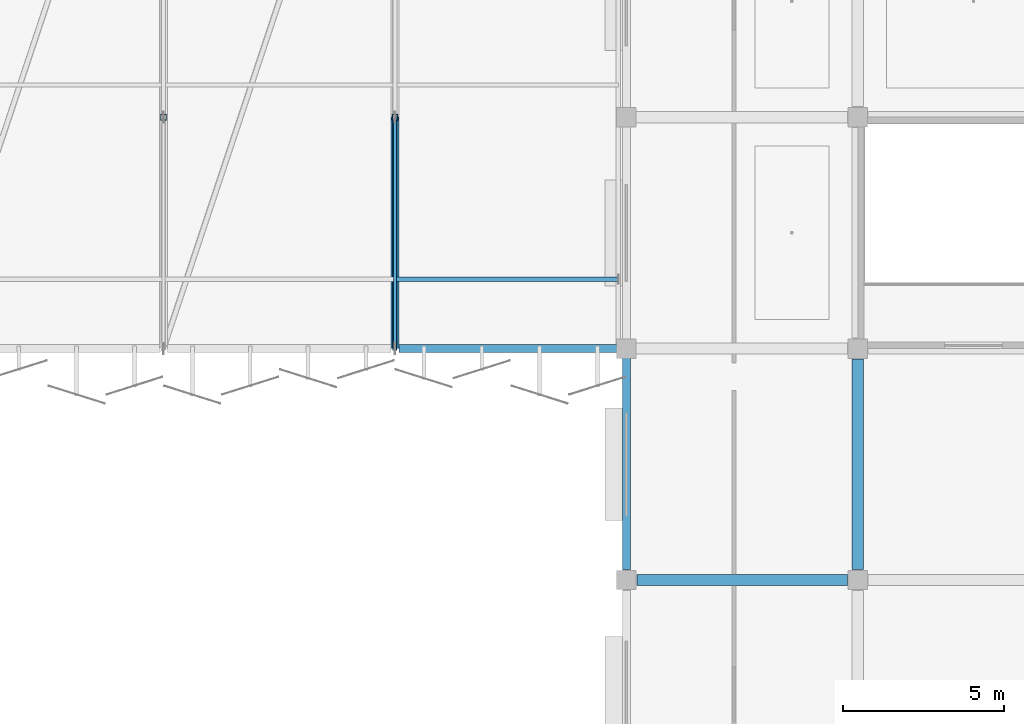
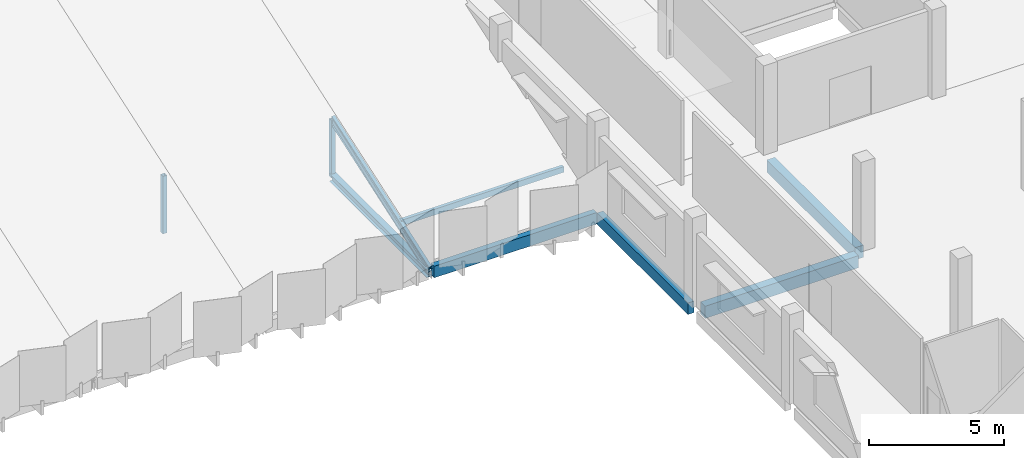
# One storey, part 22 of 59: 6 members, 4 beams.
"""IFC4 building model written with IfcOpenShell, lengths in metres."""

from ifc_helpers import new_model, si_unit, direction, frame, origin, origin_2d, place, context, subcontext, project, spatial, rectangle, hollow_rectangle, i_section, extrude, material, material_profile, profile_set, type_object, element, save


model = new_model("IFC4")

# Units and contexts
model_context = context("Model", 3, precision=1e-05, world=origin(), true_north=direction((0.0, 1.0)))
body_context = subcontext(model_context, "Body", "Model", "MODEL_VIEW")
ifc_project = project(units=[si_unit("LENGTHUNIT", "METRE"), si_unit("AREAUNIT", "SQUARE_METRE"), si_unit("VOLUMEUNIT", "CUBIC_METRE"), si_unit("PLANEANGLEUNIT", "RADIAN"), si_unit("MASSUNIT", "GRAM", prefix="KILO")], contexts=[model_context])

# Site, building, storey
site_placement = place(None, origin())
site = spatial("IfcSite", under=ifc_project, at=site_placement, CompositionType="ELEMENT")
building_placement = place(site_placement, origin())
building = spatial("IfcBuilding", under=site, at=building_placement, Name="Kangsadwip Square Police Headquarters", CompositionType="ELEMENT")
storey_placement = place(building_placement, frame((0.0, 0.0, 21.60009765625)))
storey = spatial("IfcBuildingStorey", under=building, at=storey_placement, Name="L05", CompositionType="ELEMENT", Elevation=21.60009765625)

# Beams
ifc_material_1 = material(Name="Concrete M35 (35 MPa)", Category="concrete")
ifc_material_profile_1 = material_profile(ifc_material_1, rectangle(XDim=0.35009765625, YDim=0.550048828125, at=origin_2d()), Name="RC BM 550X350")
ifc_profile_set_1 = profile_set([ifc_material_profile_1], Name="Concrete M35 (35 MPa)")
beam_type_1 = type_object("IfcBeamType", Name="RcBeam550x350", PredefinedType="BEAM", material=ifc_profile_set_1)
beam_1_placement = place(storey_placement, frame((144.324951171875, 86.39990234375, -0.4951171875), z_axis=(1.0, 0.0, 0.0), x_axis=(0.0, 1.0, 0.0)))
element("IfcBeam", 1, at=beam_1_placement, inside=storey, type_object=beam_type_1, Name="Beam BM-L05-X-20-12", PredefinedType="BEAM", context=body_context, shape_type="SweptSolid", body=[
    extrude(rectangle(XDim=0.35009765625, YDim=0.550048828125, at=origin_2d()), origin(), (0.0, 0.0, 1.0), 6.550048828125),
])
beam_2_placement = place(storey_placement, frame((151.199951171875, 86.72509765625, -0.4951171875), z_axis=(0.0, 1.0, 0.0), x_axis=(-1.0, 0.0, 0.0)))
element("IfcBeam", 2, at=beam_2_placement, inside=storey, type_object=beam_type_1, Name="Beam BM-L05-Y-21-12", PredefinedType="BEAM", context=body_context, shape_type="SweptSolid", body=[
    extrude(rectangle(XDim=0.35009765625, YDim=0.550048828125, at=origin_2d()), origin(), (0.0, 0.0, 1.0), 6.5498046875),
])
ifc_material_2 = material(Name="Concrete M35 (35 MPa)", Category="concrete")
ifc_material_profile_2 = material_profile(ifc_material_2, rectangle(XDim=0.25, YDim=0.52001953125, at=origin_2d()), Name="RC SPN 520X250")
ifc_profile_set_2 = profile_set([ifc_material_profile_2], Name="Concrete M35 (35 MPa)")
beam_type_2 = type_object("IfcBeamType", Name="RcSpandrel520x250", PredefinedType="SPANDREL", material=ifc_profile_set_2)
beam_3_placement = place(storey_placement, frame((136.925048828125, 93.60009765625, -0.47998046875), z_axis=(1.0, 0.0, 0.0), x_axis=(0.0, 1.0, 0.0)))
element("IfcBeam", 3, at=beam_3_placement, inside=storey, type_object=beam_type_2, Name="Beam BM-L05-X-19-13", PredefinedType="SPANDREL", context=body_context, shape_type="SweptSolid", body=[
    extrude(rectangle(XDim=0.25, YDim=0.52001953125, at=origin_2d()), origin(), (0.0, 0.0, 1.0), 6.949951171875),
])
beam_4_placement = place(storey_placement, frame((144.0, 86.72509765625, -0.47998046875), z_axis=(0.0, 1.0, 0.0), x_axis=(-1.0, 0.0, 0.0)))
element("IfcBeam", 4, at=beam_4_placement, inside=storey, type_object=beam_type_2, Name="Beam BM-L05-Y-20-12", PredefinedType="SPANDREL", context=body_context, shape_type="SweptSolid", body=[
    extrude(rectangle(XDim=0.25, YDim=0.52001953125, at=origin_2d()), origin(), (0.0, 0.0, 1.0), 6.724853515625),
])

# Members
ifc_material_3 = material(Name="Structural steel IS 2062 E350 (Grade 350, 350 MPa)", Category="steel")
ifc_material_profile_3 = material_profile(ifc_material_3, hollow_rectangle(XDim=0.139892578125, YDim=0.260009765625, WallThickness=0.010009765625, at=origin_2d()), Name="RHS 260X140X10")
ifc_profile_set_3 = profile_set([ifc_material_profile_3], Name="Structural steel IS 2062 E350 (Grade 350, 350 MPa)")
member_type_1 = type_object("IfcMemberType", Name="RoofPurlinRhs260", PredefinedType="PURLIN", material=ifc_profile_set_3)
member_1_placement = place(storey_placement, frame((136.800048828125, 95.760009765625, 0.429931640625), z_axis=(1.0, 0.0, 0.0), x_axis=(0.0, 1.0, 0.0)))
element("IfcMember", 5, at=member_1_placement, inside=storey, type_object=member_type_1, Name="Truss Member MEM-L05-0232", PredefinedType="PURLIN", context=body_context, shape_type="SweptSolid", body=[
    extrude(hollow_rectangle(XDim=0.139892578125, YDim=0.260009765625, WallThickness=0.010009765625, at=origin_2d()), origin(), (0.0, 0.0, 1.0), 6.949951171875),
])
ifc_material_4 = material(Name="Structural steel IS 2062 E350 (Grade 350, 350 MPa)", Category="steel")
ifc_material_profile_4 = material_profile(ifc_material_4, i_section(OverallWidth=0.139892578125, OverallDepth=0.39990234375, WebThickness=0.0087890625, FlangeThickness=0.01611328125, at=origin_2d()), Name="ISMB 400")
ifc_profile_set_4 = profile_set([ifc_material_profile_4], Name="Structural steel IS 2062 E350 (Grade 350, 350 MPa)")
member_type_2 = type_object("IfcMemberType", Name="SawtoothRafterIsmb400", PredefinedType="RAFTER", material=ifc_profile_set_4)
member_2_placement = place(storey_placement, frame((136.800048828125, 93.60009765625, -0.420166015625), z_axis=(0.0, 0.946016781172, 0.324117647993), x_axis=(-1.0, 0.0, 0.0)))
element("IfcMember", 6, at=member_2_placement, inside=storey, type_object=member_type_2, Name="Truss Member MEM-L05-0185", PredefinedType="RAFTER", context=body_context, shape_type="SweptSolid", body=[
    extrude(i_section(OverallWidth=0.139892578125, OverallDepth=0.39990234375, WebThickness=0.0087890625, FlangeThickness=0.01611328125, at=origin_2d()), origin(), (0.0, 0.0, 1.0), 7.61083984375),
])
ifc_material_5 = material(Name="Structural steel IS 2062 E350 (Grade 350, 350 MPa)", Category="steel")
ifc_material_profile_5 = material_profile(ifc_material_5, i_section(OverallWidth=0.25, OverallDepth=0.35009765625, WebThickness=0.010009765625, FlangeThickness=0.01171875, at=origin_2d()), Name="ISHB 350")
ifc_profile_set_5 = profile_set([ifc_material_profile_5], Name="Structural steel IS 2062 E350 (Grade 350, 350 MPa)")
member_type_3 = type_object("IfcMemberType", Name="TrussBotChordIshb350", PredefinedType="CHORD", material=ifc_profile_set_5)
member_3_placement = place(storey_placement, frame((136.800048828125, 93.60009765625, -0.550048828125), z_axis=(0.0, 1.0, 0.0), x_axis=(-1.0, 0.0, 0.0)))
element("IfcMember", 7, at=member_3_placement, inside=storey, type_object=member_type_3, Name="Truss Member MEM-L05-0182", PredefinedType="CHORD", context=body_context, shape_type="SweptSolid", body=[
    extrude(i_section(OverallWidth=0.25, OverallDepth=0.35009765625, WebThickness=0.010009765625, FlangeThickness=0.01171875, at=origin_2d()), origin(), (0.0, 0.0, 1.0), 7.199951171875),
])
ifc_material_6 = material(Name="Structural steel IS 2062 E350 (Grade 350, 350 MPa)", Category="steel")
ifc_material_profile_6 = material_profile(ifc_material_6, hollow_rectangle(XDim=0.10009765625, YDim=0.199951171875, WallThickness=0.008056640625, at=origin_2d()), Name="RHS 200X100X8")
ifc_profile_set_6 = profile_set([ifc_material_profile_6], Name="Structural steel IS 2062 E350 (Grade 350, 350 MPa)")
member_type_4 = type_object("IfcMemberType", Name="TrussBraceRhs200", PredefinedType="BRACE", material=ifc_profile_set_6)
member_4_placement = place(storey_placement, frame((136.800048828125, 93.60009765625, -0.550048828125), z_axis=(0.0, 0.940691667696, 0.339262709898), x_axis=(-1.0, 0.0, 0.0)))
element("IfcMember", 8, at=member_4_placement, inside=storey, type_object=member_type_4, Name="Truss Member MEM-L05-0191", PredefinedType="BRACE", context=body_context, shape_type="SweptSolid", body=[
    extrude(hollow_rectangle(XDim=0.10009765625, YDim=0.199951171875, WallThickness=0.008056640625, at=origin_2d()), origin(), (0.0, 0.0, 1.0), 7.65380859375),
])
ifc_material_7 = material(Name="Structural steel IS 2062 E350 (Grade 350, 350 MPa)", Category="steel")
ifc_material_profile_7 = material_profile(ifc_material_7, hollow_rectangle(XDim=0.179931640625, YDim=0.179931640625, WallThickness=0.010009765625, at=origin_2d()), Name="SHS 180X180X10")
ifc_profile_set_7 = profile_set([ifc_material_profile_7], Name="Structural steel IS 2062 E350 (Grade 350, 350 MPa)")
member_type_5 = type_object("IfcMemberType", Name="TrussPostShs180", PredefinedType="POST", material=ifc_profile_set_7)
for number, where, z_axis, x_axis, name in (
    (9, (129.60009765625, 100.800048828125, -0.550048828125), (0.0, 0.0, 1.0), (1.0, 0.0, 0.0), "Truss Member MEM-L05-0176"),
    (10, (136.800048828125, 100.800048828125, -0.550048828125), (0.0, 0.0, 1.0), (1.0, 0.0, 0.0), "Truss Member MEM-L05-0188"),
):
    element("IfcMember", number, at=place(storey_placement, frame(where, z_axis=z_axis, x_axis=x_axis)), inside=storey, type_object=member_type_5, Name=name, PredefinedType="POST", context=body_context, shape_type="SweptSolid", body=[
        extrude(hollow_rectangle(XDim=0.179931640625, YDim=0.179931640625, WallThickness=0.010009765625, at=origin_2d()), origin(), (0.0, 0.0, 1.0), 2.5966796875),
    ])

save(model, "model.ifc")
